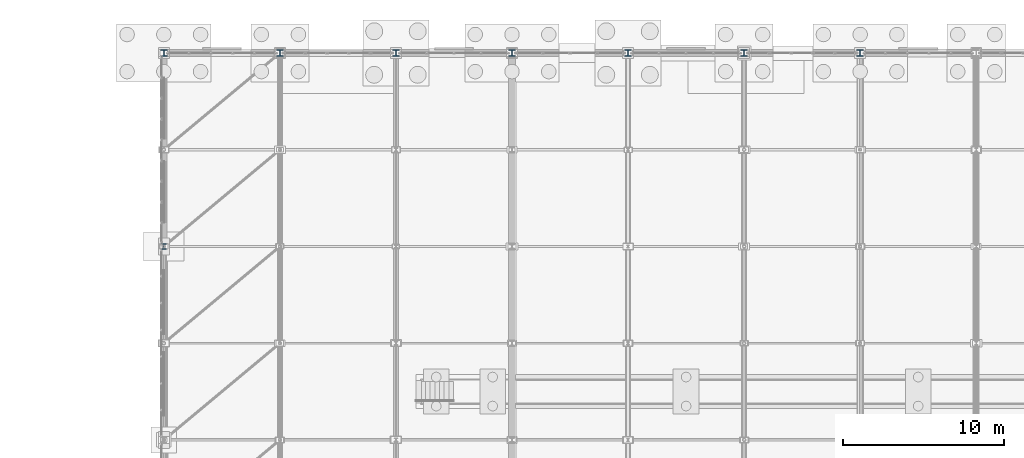
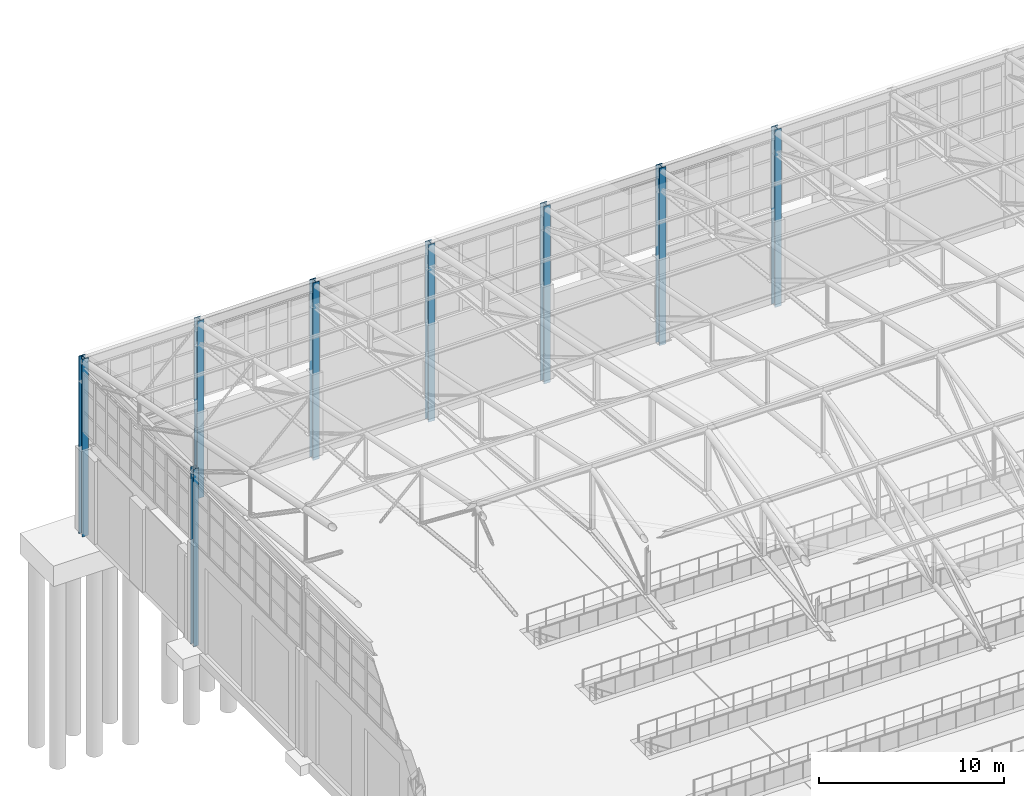
# One storey, part 36 of 293: 8 columns.
"""IFC4 building model written with IfcOpenShell, lengths in metres."""

from ifc_helpers import new_model, si_unit, direction, frame, origin, origin_2d, place, context, subcontext, project, spatial, i_section, extrude, material, material_profile, profile_set, type_object, element, save


model = new_model("IFC4")

# Units and contexts
model_context = context("Model", 3, precision=1e-05, world=origin(), true_north=direction((0.0, 1.0)))
body_context = subcontext(model_context, "Body", "Model", "MODEL_VIEW")
ifc_project = project(units=[si_unit("LENGTHUNIT", "METRE"), si_unit("AREAUNIT", "SQUARE_METRE"), si_unit("VOLUMEUNIT", "CUBIC_METRE"), si_unit("PLANEANGLEUNIT", "RADIAN"), si_unit("MASSUNIT", "GRAM", prefix="KILO")], contexts=[model_context])

# Site, building, storey
site_placement = place(None, origin())
site = spatial("IfcSite", under=ifc_project, at=site_placement, CompositionType="ELEMENT")
building_placement = place(site_placement, origin())
building = spatial("IfcBuilding", under=site, at=building_placement, Name="Kemerveld Promenade Tramway Depot", CompositionType="ELEMENT")
storey_placement = place(building_placement, origin())
storey = spatial("IfcBuildingStorey", under=building, at=storey_placement, Name="L00", CompositionType="ELEMENT", Elevation=0.0)

# Columns
ifc_material = material(Name="Steel S355", Category="steel")
ifc_material_profile_1 = material_profile(ifc_material, i_section(OverallWidth=0.403076171875, OverallDepth=0.406494140625, WebThickness=0.026611328125, FlangeThickness=0.04296875, FilletRadius=0.01513671875, at=origin_2d()), Name="356x406x340 UC")
ifc_profile_set_1 = profile_set([ifc_material_profile_1], Name="Steel S355")
column_type_1 = type_object("IfcColumnType", Name="COL-S01", PredefinedType="COLUMN", material=ifc_profile_set_1)
for number, where, z_axis, x_axis, name in (
    (1, (36.0, 144.0, -0.300048828125), (0.0, 0.0, 1.0), (1.0, 0.0, 0.0), "COL-L00-06-U"),
    (2, (43.199951171875, 144.0, -0.300048828125), (0.0, 0.0, 1.0), (1.0, 0.0, 0.0), "COL-L00-07-U"),
    (3, (50.39990234375, 144.0, -0.300048828125), (0.0, 0.0, 1.0), (1.0, 0.0, 0.0), "COL-L00-08-U"),
    (4, (57.60009765625, 144.0, -0.300048828125), (0.0, 0.0, 1.0), (1.0, 0.0, 0.0), "COL-L00-09-U"),
    (5, (64.800048828125, 144.0, -0.300048828125), (0.0, 0.0, 1.0), (1.0, 0.0, 0.0), "COL-L00-10-U"),
    (6, (72.0, 144.0, -0.300048828125), (0.0, 0.0, 1.0), (1.0, 0.0, 0.0), "COL-L00-11-U"),
    (7, (79.199951171875, 144.0, -0.300048828125), (0.0, 0.0, 1.0), (1.0, 0.0, 0.0), "COL-L00-12-U"),
):
    element("IfcColumn", number, at=place(storey_placement, frame(where, z_axis=z_axis, x_axis=x_axis)), inside=storey, type_object=column_type_1, Name=name, PredefinedType="COLUMN", context=body_context, shape_type="SweptSolid", body=[
        extrude(i_section(OverallWidth=0.403076171875, OverallDepth=0.406494140625, WebThickness=0.026611328125, FlangeThickness=0.04296875, FilletRadius=0.01513671875, at=origin_2d()), origin(), (0.0, 0.0, 1.0), 11.699951171875),
    ])
ifc_material_profile_2 = material_profile(ifc_material, i_section(OverallWidth=0.311279296875, OverallDepth=0.3271484375, WebThickness=0.015869140625, FlangeThickness=0.02490234375, FilletRadius=0.01513671875, at=origin_2d()), Name="305x305x158 UC")
ifc_profile_set_2 = profile_set([ifc_material_profile_2], Name="Steel S355")
column_type_2 = type_object("IfcColumnType", Name="COL-S05", PredefinedType="COLUMN", material=ifc_profile_set_2)
column_placement = place(storey_placement, frame((36.0, 132.0, -0.300048828125), z_axis=(0.0, 0.0, 1.0), x_axis=(1.0, 0.0, 0.0)))
element("IfcColumn", 8, at=column_placement, inside=storey, type_object=column_type_2, Name="COL-L00-06-S", PredefinedType="COLUMN", context=body_context, shape_type="SweptSolid", body=[
    extrude(i_section(OverallWidth=0.311279296875, OverallDepth=0.3271484375, WebThickness=0.015869140625, FlangeThickness=0.02490234375, FilletRadius=0.01513671875, at=origin_2d()), origin(), (0.0, 0.0, 1.0), 11.699951171875),
])

save(model, "model.ifc")
